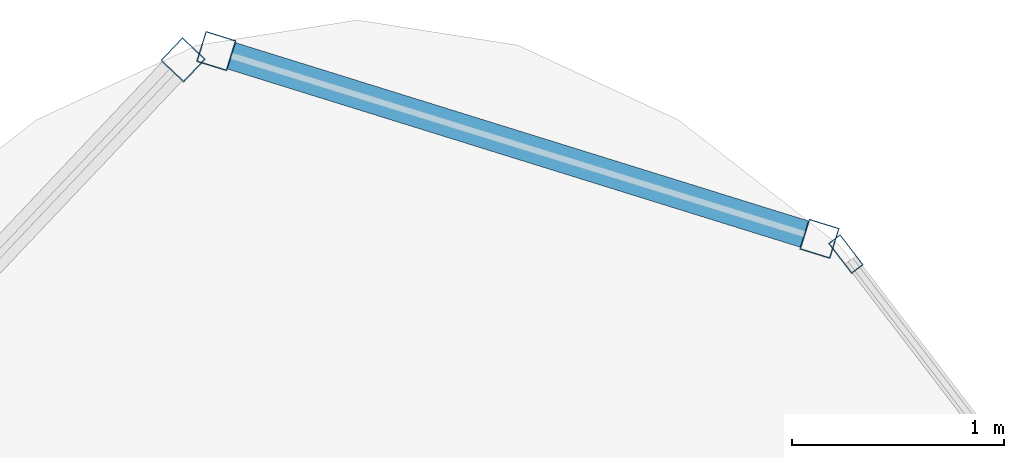
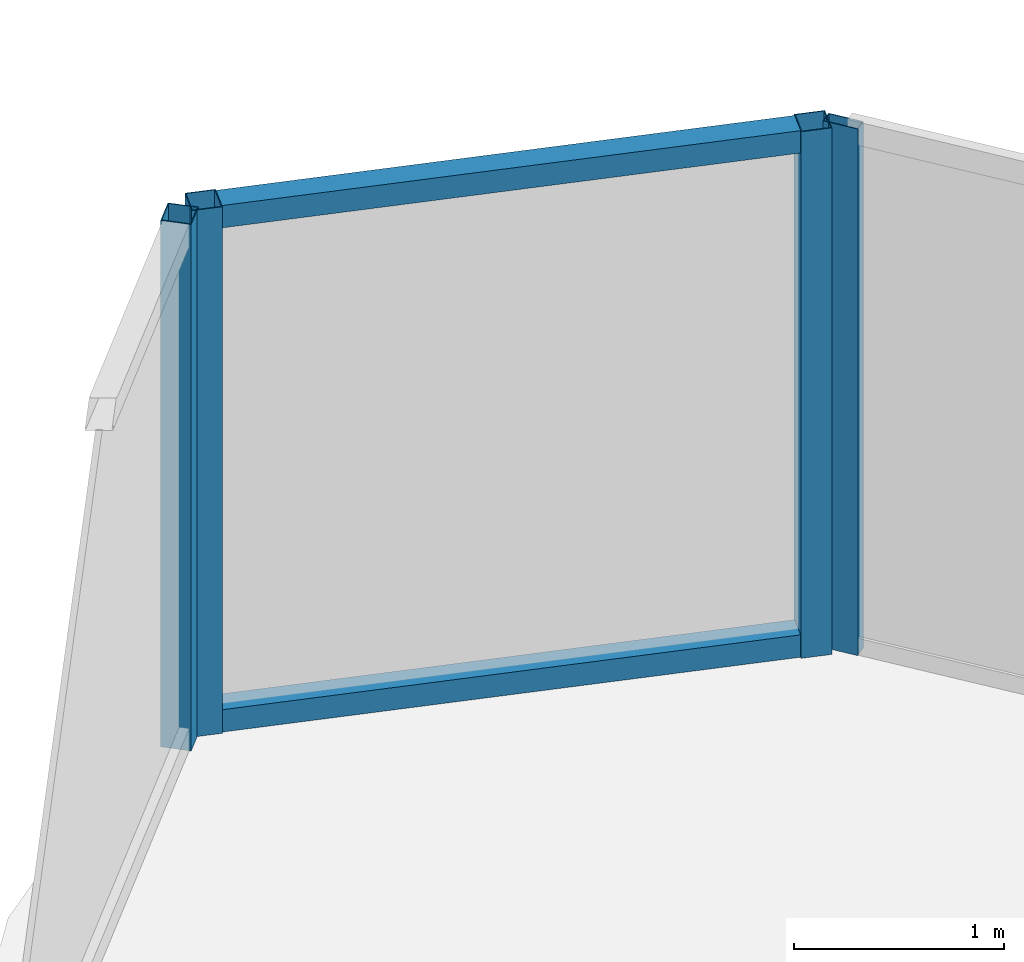
# One storey, part 21 of 31: 6 members, 3 elements without a shape of their own.
"""IFC4 building model written with IfcOpenShell, lengths in metres."""

from ifc_helpers import new_model, si_unit, direction, frame, origin, origin_2d, place, context, subcontext, project, spatial, hollow_rectangle, extrude, material, layer, layer_set, material_profile, profile_set, type_object, element, aggregate, save


model = new_model("IFC4")

# Units and contexts
model_context = context("Model", 3, precision=1e-05, world=origin(), true_north=direction((0.0, 1.0)))
body_context = subcontext(model_context, "Body", "Model", "MODEL_VIEW")
ifc_project = project(units=[si_unit("LENGTHUNIT", "METRE"), si_unit("AREAUNIT", "SQUARE_METRE"), si_unit("VOLUMEUNIT", "CUBIC_METRE"), si_unit("PLANEANGLEUNIT", "RADIAN"), si_unit("MASSUNIT", "GRAM", prefix="KILO")], contexts=[model_context])

# Site, building, storey
site_placement = place(None, origin())
site = spatial("IfcSite", under=ifc_project, at=site_placement, CompositionType="ELEMENT")
building_placement = place(site_placement, origin())
building = spatial("IfcBuilding", under=site, at=building_placement, Name="Orvanel Arch Residences", CompositionType="ELEMENT")
storey_placement = place(building_placement, frame((0.0, 0.0, 113.300048828125)))
storey = spatial("IfcBuildingStorey", under=building, at=storey_placement, Name="L31", CompositionType="ELEMENT", Elevation=113.300048828125)

# Curtain wall, members
ifc_material = material(Name="Bronze-anodised aluminium AA6063-T6", Category="aluminium")
ifc_layer_1 = layer(ifc_material, 0.18994140625)
ifc_layer_set_1 = layer_set([ifc_layer_1], Name="Bronze-anodised aluminium AA6063-T6")
curtain_wall_type_1 = type_object("IfcCurtainWallType", Name="CW5-CRN-SYS", PredefinedType="NOTDEFINED", material=ifc_layer_set_1)
curtain_wall_1_placement = place(storey_placement, origin())
curtain_wall_1 = element("IfcCurtainWall", 1, at=curtain_wall_1_placement, inside=storey, type_object=curtain_wall_type_1, Name="L31 CW5-CRN-SYS Unitised Curtain Wall", PredefinedType="NOTDEFINED")
ifc_material_profile_1 = material_profile(ifc_material, hollow_rectangle(XDim=0.14990234375, YDim=0.14990234375, WallThickness=0.0048828125, at=origin_2d()), Name="ALU150x150x5")
ifc_profile_set_1 = profile_set([ifc_material_profile_1], Name="Bronze-anodised aluminium AA6063-T6")
member_type_1 = type_object("IfcMemberType", Name="MUL-150x150", PredefinedType="MULLION", material=ifc_profile_set_1)
member_1_placement = place(storey_placement, frame((35.17529296875, 48.624267578125, 0.0), z_axis=(0.0, 0.0, 1.0), x_axis=(-0.297053581385, -0.954860811734, 0.0)))
member_1 = element("IfcMember", 2, at=member_1_placement, type_object=member_type_1, Name="CW-S5 mullion 1", PredefinedType="MULLION", context=body_context, shape_type="SweptSolid", body=[
    extrude(hollow_rectangle(XDim=0.14990234375, YDim=0.14990234375, WallThickness=0.0048828125, at=origin_2d()), origin(), (0.0, 0.0, 1.0), 3.06005859375),
])
member_2_placement = place(storey_placement, frame((32.335693359375, 49.5078125, 0.0), z_axis=(0.0, 0.0, 1.0), x_axis=(-0.297053581385, -0.954860811734, 0.0)))
member_2 = element("IfcMember", 3, at=member_2_placement, type_object=member_type_1, Name="CW-S5 mullion 2", PredefinedType="MULLION", context=body_context, shape_type="SweptSolid", body=[
    extrude(hollow_rectangle(XDim=0.14990234375, YDim=0.14990234375, WallThickness=0.0048828125, at=origin_2d()), origin(), (0.0, 0.0, 1.0), 3.06005859375),
])

# Curtain wall, member
curtain_wall_2_placement = place(storey_placement, origin())
curtain_wall_2 = element("IfcCurtainWall", 4, at=curtain_wall_2_placement, inside=storey, type_object=curtain_wall_type_1, Name="L31 CW5-CRN-SYS Unitised Curtain Wall", PredefinedType="NOTDEFINED")
member_3_placement = place(storey_placement, frame((32.179443359375, 49.466552734375, 0.0), z_axis=(0.0, 0.0, 1.0), x_axis=(0.7265167041, -0.687148803873, 0.0)))
member_3 = element("IfcMember", 5, at=member_3_placement, type_object=member_type_1, Name="CW-S5 mullion 1", PredefinedType="MULLION", context=body_context, shape_type="SweptSolid", body=[
    extrude(hollow_rectangle(XDim=0.14990234375, YDim=0.14990234375, WallThickness=0.0048828125, at=origin_2d()), origin(), (0.0, 0.0, 1.0), 3.06005859375),
])
aggregate(curtain_wall_2, [member_3])

ifc_layer_2 = layer(ifc_material, 0.179931640625)
ifc_layer_set_2 = layer_set([ifc_layer_2], Name="Bronze-anodised aluminium AA6063-T6")
curtain_wall_type_2 = type_object("IfcCurtainWallType", Name="CW3-MID-SYS", PredefinedType="NOTDEFINED", material=ifc_layer_set_2)
curtain_wall_3_placement = place(storey_placement, origin())
curtain_wall_3 = element("IfcCurtainWall", 6, at=curtain_wall_3_placement, inside=storey, type_object=curtain_wall_type_2, Name="L31 CW3-MID-SYS Unitised Curtain Wall", PredefinedType="NOTDEFINED")
ifc_material_profile_2 = material_profile(ifc_material, hollow_rectangle(XDim=0.070068359375, YDim=0.179931640625, WallThickness=0.00439453125, at=origin_2d()), Name="ALU180x70x4.5")
ifc_profile_set_2 = profile_set([ifc_material_profile_2], Name="Bronze-anodised aluminium AA6063-T6")
member_type_2 = type_object("IfcMemberType", Name="MUL-180x70", PredefinedType="MULLION", material=ifc_profile_set_2)
member_4_placement = place(storey_placement, frame((35.29931640625, 48.55224609375, 0.0), z_axis=(0.0, 0.0, 1.0), x_axis=(-0.794009853454, -0.607904887805, 0.0)))
member_4 = element("IfcMember", 7, at=member_4_placement, type_object=member_type_2, Name="CW-S3 mullion 4", PredefinedType="MULLION", context=body_context, shape_type="SweptSolid", body=[
    extrude(hollow_rectangle(XDim=0.070068359375, YDim=0.179931640625, WallThickness=0.00439453125, at=origin_2d()), origin(), (0.0, 0.0, 1.0), 3.06005859375),
])
aggregate(curtain_wall_3, [member_4])

# Member
ifc_material_profile_3 = material_profile(ifc_material, hollow_rectangle(XDim=0.1298828125, YDim=0.1298828125, WallThickness=0.00439453125, at=origin_2d()), Name="ALU130x130x4.5")
ifc_profile_set_3 = profile_set([ifc_material_profile_3], Name="Bronze-anodised aluminium AA6063-T6")
member_type_3 = type_object("IfcMemberType", Name="TRN-130x130", PredefinedType="USERDEFINED", material=ifc_profile_set_3)
member_5_placement = place(storey_placement, frame((35.103759765625, 48.646484375, 0.06494140625), z_axis=(-0.954862225643, 0.297049036424, 0.0), x_axis=(-0.297049036424, -0.954862225643, 0.0)))
member_5 = element("IfcMember", 8, at=member_5_placement, type_object=member_type_3, Name="CW-S5 transom 1.1", ObjectType="TRANSOM", PredefinedType="USERDEFINED", context=body_context, shape_type="SweptSolid", body=[
    extrude(hollow_rectangle(XDim=0.1298828125, YDim=0.1298828125, WallThickness=0.00439453125, at=origin_2d()), origin(), (0.0, 0.0, 1.0), 2.823974609375),
])

member_6_placement = place(storey_placement, frame((35.103759765625, 48.646484375, 2.994873046875), z_axis=(-0.954862225643, 0.297049036424, 0.0), x_axis=(-0.297049036424, -0.954862225643, 0.0)))
member_6 = element("IfcMember", 9, at=member_6_placement, type_object=member_type_3, Name="CW-S5 transom 1.2", ObjectType="TRANSOM", PredefinedType="USERDEFINED", context=body_context, shape_type="SweptSolid", body=[
    extrude(hollow_rectangle(XDim=0.1298828125, YDim=0.1298828125, WallThickness=0.00439453125, at=origin_2d()), origin(), (0.0, 0.0, 1.0), 2.823974609375),
])

aggregate(curtain_wall_1, [member_1, member_2, member_5, member_6])

save(model, "model.ifc")
